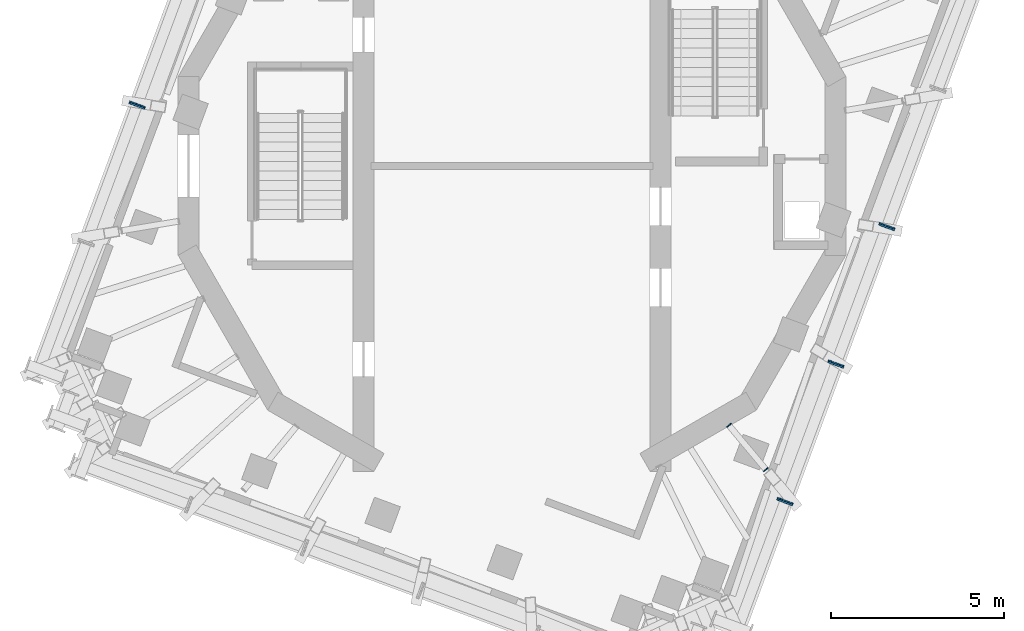
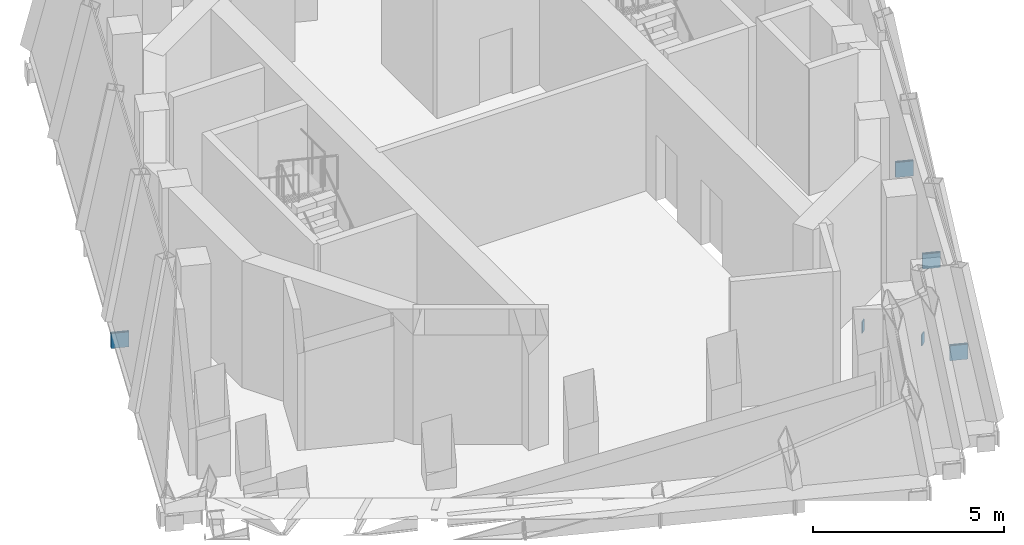
# One storey, part 8 of 11: 10 discrete accessories, 6 elements without a shape of their own.
"""IFC4 building model written with IfcOpenShell, lengths in metres."""

from ifc_helpers import new_model, si_unit, direction, frame, origin, place, context, subcontext, project, spatial, polyline, outline, extrude, material, layer, layer_set, type_object, element, aggregate, save


model = new_model("IFC4")

# Units and contexts
model_context = context("Model", 3, precision=1e-05, world=origin(), true_north=direction((0.0, 1.0)))
body_context = subcontext(model_context, "Body", "Model", "MODEL_VIEW")
ifc_project = project(units=[si_unit("LENGTHUNIT", "METRE"), si_unit("AREAUNIT", "SQUARE_METRE"), si_unit("VOLUMEUNIT", "CUBIC_METRE"), si_unit("PLANEANGLEUNIT", "RADIAN"), si_unit("MASSUNIT", "GRAM", prefix="KILO")], contexts=[model_context])

# Site, building, storey
site_placement = place(None, origin())
site = spatial("IfcSite", under=ifc_project, at=site_placement, CompositionType="ELEMENT")
building_placement = place(site_placement, origin())
building = spatial("IfcBuilding", under=site, at=building_placement, Name="Cantera Rosa Tower", CompositionType="ELEMENT")
storey_placement = place(building_placement, frame((0.0, 0.0, 369.699951171875)))
storey = spatial("IfcBuildingStorey", under=building, at=storey_placement, Name="L83", CompositionType="ELEMENT", Elevation=369.699951171875)

# Curtain wall, discrete accessory
ifc_material_1 = material(Name="Aluminium frame with clear glass", Category="aluminium")
curtain_wall_type = type_object("IfcCurtainWallType", Name="CW4 CROWN GLAZING", PredefinedType="NOTDEFINED", material=ifc_material_1)
curtain_wall_1_placement = place(storey_placement, origin())
curtain_wall_1 = element("IfcCurtainWall", 1, at=curtain_wall_1_placement, inside=storey, type_object=curtain_wall_type, Name="CW4 L83-12", PredefinedType="NOTDEFINED")
ifc_material_2 = material(Name="Steel S355J2 (EN 10025-2)", Category="steel")
ifc_layer = layer(ifc_material_2, 0.030029296875)
ifc_layer_set = layer_set([ifc_layer], Name="NODE PLATE 30")
discrete_accessory_type = type_object("IfcDiscreteAccessoryType", Name="NODE PLATE 30", PredefinedType="ANCHORPLATE", material=ifc_layer_set)
discrete_accessory_1_placement = place(storey_placement, frame((-10.636962890625, 1.63623046875, -0.43505859375), z_axis=(-0.347943850259, -0.93751537431, 0.0), x_axis=(-0.93751537431, 0.347943850259, 0.0)))
discrete_accessory_1 = element("IfcDiscreteAccessory", 2, at=discrete_accessory_1_placement, type_object=discrete_accessory_type, Name="END PLATE TE1", PredefinedType="ANCHORPLATE", context=body_context, shape_type="SweptSolid", body=[
    extrude(outline(polyline([(0.0, 0.0), (0.47994004600337425, 0.0), (0.47994004600337425, 0.47998046875), (0.0, 0.47998046875), (0.0, 0.0)])), origin(), (0.0, 0.0, -1.0), 0.0400390625),
])
aggregate(curtain_wall_1, [discrete_accessory_1])

curtain_wall_2_placement = place(storey_placement, origin())
curtain_wall_2 = element("IfcCurtainWall", 3, at=curtain_wall_2_placement, inside=storey, type_object=curtain_wall_type, Name="CW4 L83-13", PredefinedType="NOTDEFINED")
discrete_accessory_2_placement = place(storey_placement, frame((-11.059326171875, 1.878173828125, -0.43505859375), z_axis=(0.347330918501, 0.937742626232, 0.0), x_axis=(0.937742626232, -0.347330918501, 0.0)))
discrete_accessory_2 = element("IfcDiscreteAccessory", 4, at=discrete_accessory_2_placement, type_object=discrete_accessory_type, Name="END PLATE TE0", PredefinedType="ANCHORPLATE", context=body_context, shape_type="SweptSolid", body=[
    extrude(outline(polyline([(0.0, 0.0), (0.4800840869406107, 0.0), (0.4800840869406107, 0.47998046875), (0.0, 0.47998046875), (0.0, 0.0)])), origin(), (0.0, 0.0, -1.0), 0.0400390625),
])
aggregate(curtain_wall_2, [discrete_accessory_2])

curtain_wall_3_placement = place(storey_placement, origin())
curtain_wall_3 = element("IfcCurtainWall", 5, at=curtain_wall_3_placement, inside=storey, type_object=curtain_wall_type, Name="CW4 L83-28", PredefinedType="NOTDEFINED")
discrete_accessory_3_placement = place(storey_placement, frame((7.687744140625, -9.594482421875, -0.43505859375), z_axis=(0.347777987911, 0.937576914778, 0.0), x_axis=(0.937576914778, -0.347777987911, 0.0)))
discrete_accessory_3 = element("IfcDiscreteAccessory", 6, at=discrete_accessory_3_placement, type_object=discrete_accessory_type, Name="END PLATE TE1", PredefinedType="ANCHORPLATE", context=body_context, shape_type="SweptSolid", body=[
    extrude(outline(polyline([(0.0, 0.0), (0.4801689391068604, 0.0), (0.4801689391068604, 0.47998046875), (0.0, 0.47998046875), (0.0, 0.0)])), origin(), (0.0, 0.0, -1.0), 0.0400390625),
])
aggregate(curtain_wall_3, [discrete_accessory_3])

# Curtain wall, discrete accessories
curtain_wall_4_placement = place(storey_placement, origin())
curtain_wall_4 = element("IfcCurtainWall", 7, at=curtain_wall_4_placement, inside=storey, type_object=curtain_wall_type, Name="CW4 L83-29", PredefinedType="NOTDEFINED")
discrete_accessory_4_placement = place(storey_placement, frame((8.110107421875, -9.83642578125, -0.43505859375), z_axis=(-0.347330918501, -0.937742626232, 0.0), x_axis=(-0.937742626232, 0.347330918501, 0.0)))
discrete_accessory_4 = element("IfcDiscreteAccessory", 8, at=discrete_accessory_4_placement, type_object=discrete_accessory_type, Name="END PLATE TE0", PredefinedType="ANCHORPLATE", context=body_context, shape_type="SweptSolid", body=[
    extrude(outline(polyline([(0.0, 0.0), (0.4800840869406107, 0.0), (0.4800840869406107, 0.47998046875), (0.0, 0.47998046875), (0.0, 0.0)])), origin(), (0.0, 0.0, -1.0), 0.0400390625),
])
discrete_accessory_5_placement = place(storey_placement, frame((9.162353515625, -5.615478515625, -0.43505859375), z_axis=(0.347330918501, 0.937742626232, 0.0), x_axis=(0.937742626232, -0.347330918501, 0.0)))
discrete_accessory_5 = element("IfcDiscreteAccessory", 9, at=discrete_accessory_5_placement, type_object=discrete_accessory_type, Name="END PLATE TE1", PredefinedType="ANCHORPLATE", context=body_context, shape_type="SweptSolid", body=[
    extrude(outline(polyline([(0.0, 0.0), (0.4800840869406107, 0.0), (0.4800840869406107, 0.47998046875), (0.0, 0.47998046875), (0.0, 0.0)])), origin(), (0.0, 0.0, -1.0), 0.0400390625),
])
aggregate(curtain_wall_4, [discrete_accessory_4, discrete_accessory_5])

curtain_wall_5_placement = place(storey_placement, origin())
curtain_wall_5 = element("IfcCurtainWall", 10, at=curtain_wall_5_placement, inside=storey, type_object=curtain_wall_type, Name="CW4 L83-30", PredefinedType="NOTDEFINED")
discrete_accessory_6_placement = place(storey_placement, frame((9.584716796875, -5.857177734375, -0.43505859375), z_axis=(-0.347330918501, -0.937742626232, 0.0), x_axis=(-0.937742626232, 0.347330918501, 0.0)))
discrete_accessory_6 = element("IfcDiscreteAccessory", 11, at=discrete_accessory_6_placement, type_object=discrete_accessory_type, Name="END PLATE TE0", PredefinedType="ANCHORPLATE", context=body_context, shape_type="SweptSolid", body=[
    extrude(outline(polyline([(0.0, 0.0), (0.4800840869406107, 0.0), (0.4800840869406107, 0.47998046875), (0.0, 0.47998046875), (0.0, 0.0)])), origin(), (0.0, 0.0, -1.0), 0.0400390625),
])
discrete_accessory_7_placement = place(storey_placement, frame((10.636962890625, -1.63623046875, -0.43505859375), z_axis=(0.347943850259, 0.93751537431, 0.0), x_axis=(0.93751537431, -0.347943850259, 0.0)))
discrete_accessory_7 = element("IfcDiscreteAccessory", 12, at=discrete_accessory_7_placement, type_object=discrete_accessory_type, Name="END PLATE TE1", PredefinedType="ANCHORPLATE", context=body_context, shape_type="SweptSolid", body=[
    extrude(outline(polyline([(0.0, 0.0), (0.47994004600337425, 0.0), (0.47994004600337425, 0.47998046875), (0.0, 0.47998046875), (0.0, 0.0)])), origin(), (0.0, 0.0, -1.0), 0.0400390625),
])
aggregate(curtain_wall_5, [discrete_accessory_6, discrete_accessory_7])

# Curtain wall, discrete accessory
curtain_wall_6_placement = place(storey_placement, origin())
curtain_wall_6 = element("IfcCurtainWall", 13, at=curtain_wall_6_placement, inside=storey, type_object=curtain_wall_type, Name="CW4 L83-31", PredefinedType="NOTDEFINED")
discrete_accessory_8_placement = place(storey_placement, frame((11.059326171875, -1.878173828125, -0.43505859375), z_axis=(-0.347330918501, -0.937742626232, 0.0), x_axis=(-0.937742626232, 0.347330918501, 0.0)))
discrete_accessory_8 = element("IfcDiscreteAccessory", 14, at=discrete_accessory_8_placement, type_object=discrete_accessory_type, Name="END PLATE TE0", PredefinedType="ANCHORPLATE", context=body_context, shape_type="SweptSolid", body=[
    extrude(outline(polyline([(0.0, 0.0), (0.4800840869406107, 0.0), (0.4800840869406107, 0.47998046875), (0.0, 0.47998046875), (0.0, 0.0)])), origin(), (0.0, 0.0, -1.0), 0.0400390625),
])
aggregate(curtain_wall_6, [discrete_accessory_8])

# Discrete accessories
discrete_accessory_9_placement = place(storey_placement, frame((0.0, 0.0, -0.805908203125)))
element("IfcDiscreteAccessory", 15, at=discrete_accessory_9_placement, inside=storey, type_object=discrete_accessory_type, Name="END PLATE CG-Z6-10 L83 A", PredefinedType="ANCHORPLATE", context=body_context, shape_type="SweptSolid", body=[
    extrude(outline(polyline([(7.403564453125, -8.72314453125), (7.4228515625, -8.74609375), (7.291748046875, -8.855712890625), (7.2724609375, -8.832763671875), (7.403564453125, -8.72314453125)])), origin(), (0.0, 0.0, 1.0), 0.35595703125),
])
discrete_accessory_10_placement = place(storey_placement, frame((0.0, 0.0, -0.805908203125)))
element("IfcDiscreteAccessory", 16, at=discrete_accessory_10_placement, inside=storey, type_object=discrete_accessory_type, Name="END PLATE CG-Z6-10 L83 B", PredefinedType="ANCHORPLATE", context=body_context, shape_type="SweptSolid", body=[
    extrude(outline(polyline([(6.22314453125, -7.57763671875), (6.203857421875, -7.554443359375), (6.335205078125, -7.44482421875), (6.354248046875, -7.4677734375), (6.22314453125, -7.57763671875)])), origin(), (0.0, 0.0, 1.0), 0.35595703125),
])

save(model, "model.ifc")
